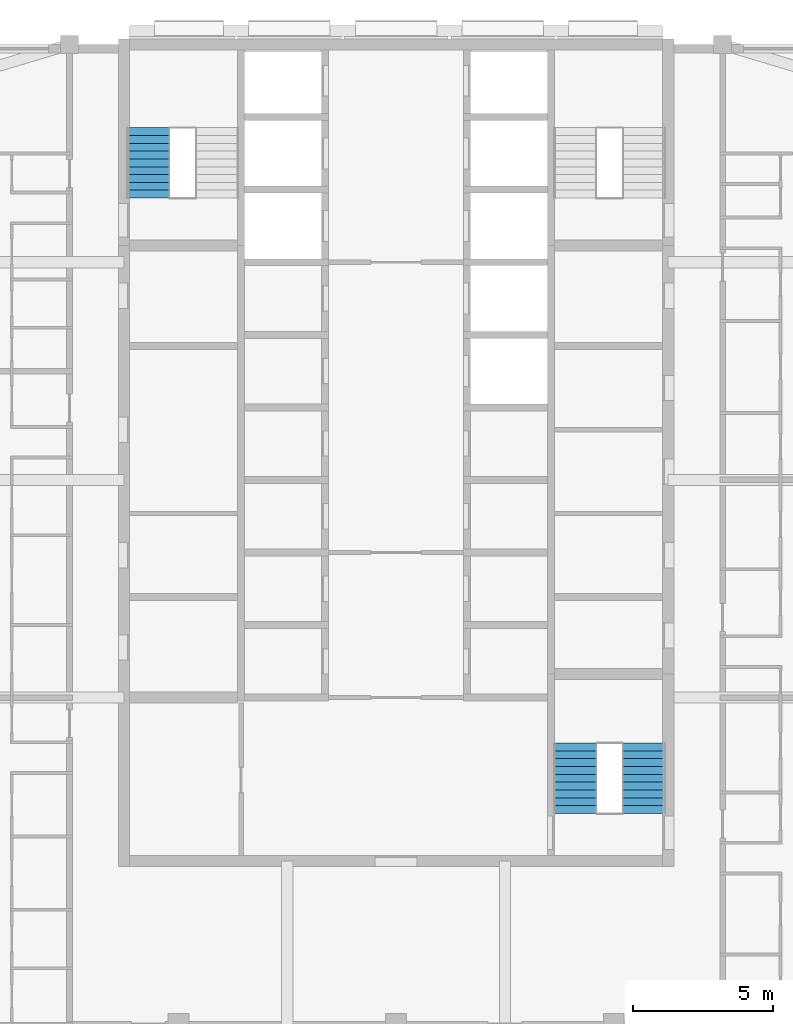
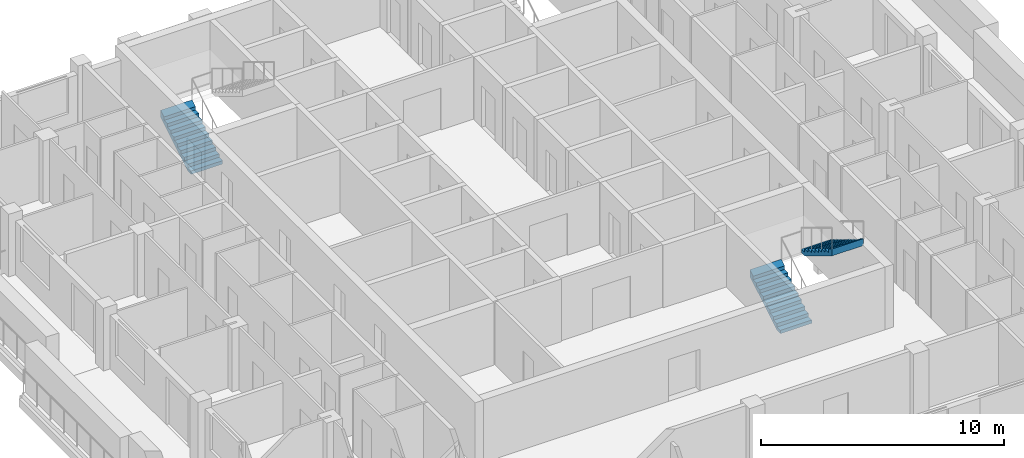
# One storey, part 10 of 13: 3 stair flights, 2 elements without a shape of their own.
"""IFC4 building model written with IfcOpenShell, lengths in metres."""

from ifc_helpers import new_model, si_unit, direction, frame, origin, place, context, subcontext, project, spatial, triangles, material, type_object, element, aggregate, save


model = new_model("IFC4")

# Units and contexts
model_context = context("Model", 3, precision=1e-05, world=origin(), true_north=direction((0.0, 1.0)))
body_context = subcontext(model_context, "Body", "Model", "MODEL_VIEW")
ifc_project = project(units=[si_unit("LENGTHUNIT", "METRE"), si_unit("AREAUNIT", "SQUARE_METRE"), si_unit("VOLUMEUNIT", "CUBIC_METRE"), si_unit("PLANEANGLEUNIT", "RADIAN"), si_unit("MASSUNIT", "GRAM", prefix="KILO")], contexts=[model_context])

# Site, building, storey
site_placement = place(None, origin())
site = spatial("IfcSite", under=ifc_project, at=site_placement, CompositionType="ELEMENT")
building_placement = place(site_placement, origin())
building = spatial("IfcBuilding", under=site, at=building_placement, Name="Ludao Terraces", CompositionType="ELEMENT")
storey_placement = place(building_placement, frame((0.0, 0.0, 252.800048828125)))
storey = spatial("IfcBuildingStorey", under=building, at=storey_placement, Name="L69", CompositionType="ELEMENT", Elevation=252.800048828125)

# Stair, stair flight
ifc_material = material(Name="Concrete C40", Category="concrete")
stair_type = type_object("IfcStairType", Name="INT Stair", PredefinedType="HALF_TURN_STAIR", material=ifc_material)
stair_1_placement = place(storey_placement, origin())
stair_1 = element("IfcStair", 1, at=stair_1_placement, inside=storey, type_object=stair_type, Name="EXIT STAIR 1", PredefinedType="HALF_TURN_STAIR")
stair_flight_type = type_object("IfcStairFlightType", Name="INT Stair flight", PredefinedType="STRAIGHT", material=ifc_material)
stair_flight_1_placement = place(storey_placement, frame((76.125, 79.0, 0.0), z_axis=(0.0, 0.0, 1.0), x_axis=(0.0, 1.0, 0.0)))
stair_flight_1 = element("IfcStairFlight", 2, at=stair_flight_1_placement, type_object=stair_flight_type, Name="ST1 flight 1", NumberOfRisers=10, NumberOfTreads=9, PredefinedType="STRAIGHT", RiserHeight=0.17, TreadLength=0.28, context=body_context, shape_type="Tessellation", body=[
    triangles([(0.0, -0.75, 0.0), (0.0, -0.5, 0.0), (0.0, -0.25, 0.0), (0.0, 0.0, 0.0), (0.0, 0.25, 0.0), (0.0, 0.5, 0.0), (0.0, 0.75, 0.0), (0.0, -0.75, 0.169921875), (0.0, -0.5, 0.169921875), (0.0, -0.25, 0.169921875), (0.0, 0.0, 0.169921875), (0.0, 0.25, 0.169921875), (0.0, 0.5, 0.169921875), (0.0, 0.75, 0.169921875), (0.280029296875, -0.75, 0.169921875), (0.280029296875, -0.5, 0.169921875), (0.280029296875, -0.25, 0.169921875), (0.280029296875, 0.0, 0.169921875), (0.280029296875, 0.25, 0.169921875), (0.280029296875, 0.5, 0.169921875), (0.280029296875, 0.75, 0.169921875), (0.280029296875, -0.75, 0.340087890625), (0.280029296875, -0.5, 0.340087890625), (0.280029296875, -0.25, 0.340087890625), (0.280029296875, 0.0, 0.340087890625), (0.280029296875, 0.25, 0.340087890625), (0.280029296875, 0.5, 0.340087890625), (0.280029296875, 0.75, 0.340087890625), (0.56005859375, -0.75, 0.340087890625), (0.56005859375, -0.5, 0.340087890625), (0.56005859375, -0.25, 0.340087890625), (0.56005859375, 0.0, 0.340087890625), (0.56005859375, 0.25, 0.340087890625), (0.56005859375, 0.5, 0.340087890625), (0.56005859375, 0.75, 0.340087890625), (0.56005859375, -0.75, 0.510009765625), (0.56005859375, -0.5, 0.510009765625), (0.56005859375, -0.25, 0.510009765625), (0.56005859375, 0.0, 0.510009765625), (0.56005859375, 0.25, 0.510009765625), (0.56005859375, 0.5, 0.510009765625), (0.56005859375, 0.75, 0.510009765625), (0.840087890625, -0.75, 0.510009765625), (0.840087890625, -0.5, 0.510009765625), (0.840087890625, -0.25, 0.510009765625), (0.840087890625, 0.0, 0.510009765625), (0.840087890625, 0.25, 0.510009765625), (0.840087890625, 0.5, 0.510009765625), (0.840087890625, 0.75, 0.510009765625), (0.840087890625, -0.75, 0.679931640625), (0.840087890625, -0.5, 0.679931640625), (0.840087890625, -0.25, 0.679931640625), (0.840087890625, 0.0, 0.679931640625), (0.840087890625, 0.25, 0.679931640625), (0.840087890625, 0.5, 0.679931640625), (0.840087890625, 0.75, 0.679931640625), (1.1201171875, -0.75, 0.679931640625), (1.1201171875, -0.5, 0.679931640625), (1.1201171875, -0.25, 0.679931640625), (1.1201171875, 0.0, 0.679931640625), (1.1201171875, 0.25, 0.679931640625), (1.1201171875, 0.5, 0.679931640625), (1.1201171875, 0.75, 0.679931640625), (1.1201171875, -0.75, 0.85009765625), (1.1201171875, -0.5, 0.85009765625), (1.1201171875, -0.25, 0.85009765625), (1.1201171875, 0.0, 0.85009765625), (1.1201171875, 0.25, 0.85009765625), (1.1201171875, 0.5, 0.85009765625), (1.1201171875, 0.75, 0.85009765625), (1.39990234375, -0.75, 0.85009765625), (1.39990234375, -0.5, 0.85009765625), (1.39990234375, -0.25, 0.85009765625), (1.39990234375, 0.0, 0.85009765625), (1.39990234375, 0.25, 0.85009765625), (1.39990234375, 0.5, 0.85009765625), (1.39990234375, 0.75, 0.85009765625), (1.39990234375, -0.75, 1.02001953125), (1.39990234375, -0.5, 1.02001953125), (1.39990234375, -0.25, 1.02001953125), (1.39990234375, 0.0, 1.02001953125), (1.39990234375, 0.25, 1.02001953125), (1.39990234375, 0.5, 1.02001953125), (1.39990234375, 0.75, 1.02001953125), (1.679931640625, -0.75, 1.02001953125), (1.679931640625, -0.5, 1.02001953125), (1.679931640625, -0.25, 1.02001953125), (1.679931640625, 0.0, 1.02001953125), (1.679931640625, 0.25, 1.02001953125), (1.679931640625, 0.5, 1.02001953125), (1.679931640625, 0.75, 1.02001953125), (1.679931640625, -0.75, 1.18994140625), (1.679931640625, -0.5, 1.18994140625), (1.679931640625, -0.25, 1.18994140625), (1.679931640625, 0.0, 1.18994140625), (1.679931640625, 0.25, 1.18994140625), (1.679931640625, 0.5, 1.18994140625), (1.679931640625, 0.75, 1.18994140625), (1.9599609375, -0.75, 1.18994140625), (1.9599609375, -0.5, 1.18994140625), (1.9599609375, -0.25, 1.18994140625), (1.9599609375, 0.0, 1.18994140625), (1.9599609375, 0.25, 1.18994140625), (1.9599609375, 0.5, 1.18994140625), (1.9599609375, 0.75, 1.18994140625), (1.9599609375, -0.75, 1.360107421875), (1.9599609375, -0.5, 1.360107421875), (1.9599609375, -0.25, 1.360107421875), (1.9599609375, 0.0, 1.360107421875), (1.9599609375, 0.25, 1.360107421875), (1.9599609375, 0.5, 1.360107421875), (1.9599609375, 0.75, 1.360107421875), (2.239990234375, -0.75, 1.360107421875), (2.239990234375, -0.5, 1.360107421875), (2.239990234375, -0.25, 1.360107421875), (2.239990234375, 0.0, 1.360107421875), (2.239990234375, 0.25, 1.360107421875), (2.239990234375, 0.5, 1.360107421875), (2.239990234375, 0.75, 1.360107421875), (2.239990234375, -0.75, 1.530029296875), (2.239990234375, -0.5, 1.530029296875), (2.239990234375, -0.25, 1.530029296875), (2.239990234375, 0.0, 1.530029296875), (2.239990234375, 0.25, 1.530029296875), (2.239990234375, 0.5, 1.530029296875), (2.239990234375, 0.75, 1.530029296875), (2.52001953125, -0.75, 1.699951171875), (2.52001953125, -0.5, 1.699951171875), (2.52001953125, -0.25, 1.699951171875), (2.52001953125, 0.0, 1.699951171875), (2.52001953125, 0.25, 1.699951171875), (2.52001953125, 0.5, 1.699951171875), (2.52001953125, 0.75, 1.699951171875), (2.52001953125, -0.75, 1.354736328125), (2.52001953125, -0.5, 1.354736328125), (2.52001953125, -0.25, 1.354736328125), (2.52001953125, 0.0, 1.354736328125), (2.52001953125, 0.25, 1.354736328125), (2.52001953125, 0.5, 1.354736328125), (2.52001953125, 0.75, 1.354736328125), (0.288818359375, -0.75, 0.0), (0.288818359375, -0.5, 0.0), (0.288818359375, -0.25, 0.0), (0.288818359375, 0.0, 0.0), (0.288818359375, 0.25, 0.0), (0.288818359375, 0.5, 0.0), (0.288818359375, 0.75, 0.0)], [[1, 141, 134], [7, 140, 147], [134, 127, 120], [140, 126, 133], [134, 120, 113], [140, 119, 126], [134, 113, 106], [140, 112, 119], [134, 106, 99], [140, 105, 112], [99, 92, 85], [105, 91, 98], [134, 99, 85], [140, 91, 105], [85, 78, 71], [91, 77, 84], [134, 85, 71], [140, 77, 91], [71, 64, 57], [77, 63, 70], [134, 71, 57], [140, 63, 77], [57, 50, 43], [63, 49, 56], [134, 57, 43], [140, 49, 63], [43, 36, 29], [49, 35, 42], [134, 43, 29], [140, 35, 49], [29, 22, 15], [35, 21, 28], [134, 29, 15], [140, 21, 35], [1, 134, 15], [7, 21, 140], [15, 8, 1], [21, 7, 14], [1, 9, 2], [1, 8, 9], [2, 10, 3], [2, 9, 10], [3, 11, 4], [3, 10, 11], [4, 12, 5], [4, 11, 12], [5, 13, 6], [5, 12, 13], [6, 14, 7], [6, 13, 14], [8, 16, 9], [8, 15, 16], [9, 17, 10], [9, 16, 17], [10, 18, 11], [10, 17, 18], [11, 19, 12], [11, 18, 19], [12, 20, 13], [12, 19, 20], [13, 21, 14], [13, 20, 21], [15, 23, 16], [15, 22, 23], [16, 24, 17], [16, 23, 24], [17, 25, 18], [17, 24, 25], [18, 26, 19], [18, 25, 26], [19, 27, 20], [19, 26, 27], [20, 28, 21], [20, 27, 28], [22, 30, 23], [22, 29, 30], [23, 31, 24], [23, 30, 31], [24, 32, 25], [24, 31, 32], [25, 33, 26], [25, 32, 33], [26, 34, 27], [26, 33, 34], [27, 35, 28], [27, 34, 35], [29, 37, 30], [29, 36, 37], [30, 38, 31], [30, 37, 38], [31, 39, 32], [31, 38, 39], [32, 40, 33], [32, 39, 40], [33, 41, 34], [33, 40, 41], [34, 42, 35], [34, 41, 42], [36, 44, 37], [36, 43, 44], [37, 45, 38], [37, 44, 45], [38, 46, 39], [38, 45, 46], [39, 47, 40], [39, 46, 47], [40, 48, 41], [40, 47, 48], [41, 49, 42], [41, 48, 49], [43, 51, 44], [43, 50, 51], [44, 52, 45], [44, 51, 52], [45, 53, 46], [45, 52, 53], [46, 54, 47], [46, 53, 54], [47, 55, 48], [47, 54, 55], [48, 56, 49], [48, 55, 56], [50, 58, 51], [50, 57, 58], [51, 59, 52], [51, 58, 59], [52, 60, 53], [52, 59, 60], [53, 61, 54], [53, 60, 61], [54, 62, 55], [54, 61, 62], [55, 63, 56], [55, 62, 63], [57, 65, 58], [57, 64, 65], [58, 66, 59], [58, 65, 66], [59, 67, 60], [59, 66, 67], [60, 68, 61], [60, 67, 68], [61, 69, 62], [61, 68, 69], [62, 70, 63], [62, 69, 70], [64, 72, 65], [64, 71, 72], [65, 73, 66], [65, 72, 73], [66, 74, 67], [66, 73, 74], [67, 75, 68], [67, 74, 75], [68, 76, 69], [68, 75, 76], [69, 77, 70], [69, 76, 77], [71, 79, 72], [71, 78, 79], [72, 80, 73], [72, 79, 80], [73, 81, 74], [73, 80, 81], [74, 82, 75], [74, 81, 82], [75, 83, 76], [75, 82, 83], [76, 84, 77], [76, 83, 84], [78, 86, 79], [78, 85, 86], [79, 87, 80], [79, 86, 87], [80, 88, 81], [80, 87, 88], [81, 89, 82], [81, 88, 89], [82, 90, 83], [82, 89, 90], [83, 91, 84], [83, 90, 91], [85, 93, 86], [85, 92, 93], [86, 94, 87], [86, 93, 94], [87, 95, 88], [87, 94, 95], [88, 96, 89], [88, 95, 96], [89, 97, 90], [89, 96, 97], [90, 98, 91], [90, 97, 98], [92, 100, 93], [92, 99, 100], [93, 101, 94], [93, 100, 101], [94, 102, 95], [94, 101, 102], [95, 103, 96], [95, 102, 103], [96, 104, 97], [96, 103, 104], [97, 105, 98], [97, 104, 105], [99, 107, 100], [99, 106, 107], [100, 108, 101], [100, 107, 108], [101, 109, 102], [101, 108, 109], [102, 110, 103], [102, 109, 110], [103, 111, 104], [103, 110, 111], [104, 112, 105], [104, 111, 112], [106, 114, 107], [106, 113, 114], [107, 115, 108], [107, 114, 115], [108, 116, 109], [108, 115, 116], [109, 117, 110], [109, 116, 117], [110, 118, 111], [110, 117, 118], [111, 119, 112], [111, 118, 119], [113, 121, 114], [113, 120, 121], [114, 122, 115], [114, 121, 122], [115, 123, 116], [115, 122, 123], [116, 124, 117], [116, 123, 124], [117, 125, 118], [117, 124, 125], [118, 126, 119], [118, 125, 126], [120, 128, 121], [120, 127, 128], [121, 129, 122], [121, 128, 129], [122, 130, 123], [122, 129, 130], [123, 131, 124], [123, 130, 131], [124, 132, 125], [124, 131, 132], [125, 133, 126], [125, 132, 133], [127, 135, 128], [127, 134, 135], [128, 136, 129], [128, 135, 136], [129, 137, 130], [129, 136, 137], [130, 138, 131], [130, 137, 138], [131, 139, 132], [131, 138, 139], [132, 140, 133], [132, 139, 140], [134, 142, 135], [134, 141, 142], [135, 143, 136], [135, 142, 143], [136, 144, 137], [136, 143, 144], [137, 145, 138], [137, 144, 145], [138, 146, 139], [138, 145, 146], [139, 147, 140], [139, 146, 147], [141, 2, 142], [141, 1, 2], [142, 3, 143], [142, 2, 3], [143, 4, 144], [143, 3, 4], [144, 5, 145], [144, 4, 5], [145, 6, 146], [145, 5, 6], [146, 7, 147], [146, 6, 7]], closed=True),
])
aggregate(stair_1, [stair_flight_1])

# Stair, stair flights
stair_2_placement = place(storey_placement, origin())
stair_2 = element("IfcStair", 3, at=stair_2_placement, inside=storey, type_object=stair_type, Name="EXIT STAIR 3", PredefinedType="HALF_TURN_STAIR")
stair_flight_2_placement = place(storey_placement, frame((91.425048828125, 56.949951171875, 0.0), z_axis=(0.0, 0.0, 1.0), x_axis=(0.0, 1.0, 0.0)))
stair_flight_2 = element("IfcStairFlight", 4, at=stair_flight_2_placement, type_object=stair_flight_type, Name="ST3 flight 1", NumberOfRisers=10, NumberOfTreads=9, PredefinedType="STRAIGHT", RiserHeight=0.17, TreadLength=0.28, context=body_context, shape_type="Tessellation", body=[
    triangles([(0.0, -0.75, 0.0), (0.0, -0.5, 0.0), (0.0, -0.25, 0.0), (0.0, 0.0, 0.0), (0.0, 0.25, 0.0), (0.0, 0.5, 0.0), (0.0, 0.75, 0.0), (0.0, -0.75, 0.169921875), (0.0, -0.5, 0.169921875), (0.0, -0.25, 0.169921875), (0.0, 0.0, 0.169921875), (0.0, 0.25, 0.169921875), (0.0, 0.5, 0.169921875), (0.0, 0.75, 0.169921875), (0.280029296875, -0.75, 0.169921875), (0.280029296875, -0.5, 0.169921875), (0.280029296875, -0.25, 0.169921875), (0.280029296875, 0.0, 0.169921875), (0.280029296875, 0.25, 0.169921875), (0.280029296875, 0.5, 0.169921875), (0.280029296875, 0.75, 0.169921875), (0.280029296875, -0.75, 0.340087890625), (0.280029296875, -0.5, 0.340087890625), (0.280029296875, -0.25, 0.340087890625), (0.280029296875, 0.0, 0.340087890625), (0.280029296875, 0.25, 0.340087890625), (0.280029296875, 0.5, 0.340087890625), (0.280029296875, 0.75, 0.340087890625), (0.56005859375, -0.75, 0.340087890625), (0.56005859375, -0.5, 0.340087890625), (0.56005859375, -0.25, 0.340087890625), (0.56005859375, 0.0, 0.340087890625), (0.56005859375, 0.25, 0.340087890625), (0.56005859375, 0.5, 0.340087890625), (0.56005859375, 0.75, 0.340087890625), (0.56005859375, -0.75, 0.510009765625), (0.56005859375, -0.5, 0.510009765625), (0.56005859375, -0.25, 0.510009765625), (0.56005859375, 0.0, 0.510009765625), (0.56005859375, 0.25, 0.510009765625), (0.56005859375, 0.5, 0.510009765625), (0.56005859375, 0.75, 0.510009765625), (0.840087890625, -0.75, 0.510009765625), (0.840087890625, -0.5, 0.510009765625), (0.840087890625, -0.25, 0.510009765625), (0.840087890625, 0.0, 0.510009765625), (0.840087890625, 0.25, 0.510009765625), (0.840087890625, 0.5, 0.510009765625), (0.840087890625, 0.75, 0.510009765625), (0.840087890625, -0.75, 0.679931640625), (0.840087890625, -0.5, 0.679931640625), (0.840087890625, -0.25, 0.679931640625), (0.840087890625, 0.0, 0.679931640625), (0.840087890625, 0.25, 0.679931640625), (0.840087890625, 0.5, 0.679931640625), (0.840087890625, 0.75, 0.679931640625), (1.1201171875, -0.75, 0.679931640625), (1.1201171875, -0.5, 0.679931640625), (1.1201171875, -0.25, 0.679931640625), (1.1201171875, 0.0, 0.679931640625), (1.1201171875, 0.25, 0.679931640625), (1.1201171875, 0.5, 0.679931640625), (1.1201171875, 0.75, 0.679931640625), (1.1201171875, -0.75, 0.85009765625), (1.1201171875, -0.5, 0.85009765625), (1.1201171875, -0.25, 0.85009765625), (1.1201171875, 0.0, 0.85009765625), (1.1201171875, 0.25, 0.85009765625), (1.1201171875, 0.5, 0.85009765625), (1.1201171875, 0.75, 0.85009765625), (1.39990234375, -0.75, 0.85009765625), (1.39990234375, -0.5, 0.85009765625), (1.39990234375, -0.25, 0.85009765625), (1.39990234375, 0.0, 0.85009765625), (1.39990234375, 0.25, 0.85009765625), (1.39990234375, 0.5, 0.85009765625), (1.39990234375, 0.75, 0.85009765625), (1.39990234375, -0.75, 1.02001953125), (1.39990234375, -0.5, 1.02001953125), (1.39990234375, -0.25, 1.02001953125), (1.39990234375, 0.0, 1.02001953125), (1.39990234375, 0.25, 1.02001953125), (1.39990234375, 0.5, 1.02001953125), (1.39990234375, 0.75, 1.02001953125), (1.679931640625, -0.75, 1.02001953125), (1.679931640625, -0.5, 1.02001953125), (1.679931640625, -0.25, 1.02001953125), (1.679931640625, 0.0, 1.02001953125), (1.679931640625, 0.25, 1.02001953125), (1.679931640625, 0.5, 1.02001953125), (1.679931640625, 0.75, 1.02001953125), (1.679931640625, -0.75, 1.18994140625), (1.679931640625, -0.5, 1.18994140625), (1.679931640625, -0.25, 1.18994140625), (1.679931640625, 0.0, 1.18994140625), (1.679931640625, 0.25, 1.18994140625), (1.679931640625, 0.5, 1.18994140625), (1.679931640625, 0.75, 1.18994140625), (1.9599609375, -0.75, 1.18994140625), (1.9599609375, -0.5, 1.18994140625), (1.9599609375, -0.25, 1.18994140625), (1.9599609375, 0.0, 1.18994140625), (1.9599609375, 0.25, 1.18994140625), (1.9599609375, 0.5, 1.18994140625), (1.9599609375, 0.75, 1.18994140625), (1.9599609375, -0.75, 1.360107421875), (1.9599609375, -0.5, 1.360107421875), (1.9599609375, -0.25, 1.360107421875), (1.9599609375, 0.0, 1.360107421875), (1.9599609375, 0.25, 1.360107421875), (1.9599609375, 0.5, 1.360107421875), (1.9599609375, 0.75, 1.360107421875), (2.239990234375, -0.75, 1.360107421875), (2.239990234375, -0.5, 1.360107421875), (2.239990234375, -0.25, 1.360107421875), (2.239990234375, 0.0, 1.360107421875), (2.239990234375, 0.25, 1.360107421875), (2.239990234375, 0.5, 1.360107421875), (2.239990234375, 0.75, 1.360107421875), (2.239990234375, -0.75, 1.530029296875), (2.239990234375, -0.5, 1.530029296875), (2.239990234375, -0.25, 1.530029296875), (2.239990234375, 0.0, 1.530029296875), (2.239990234375, 0.25, 1.530029296875), (2.239990234375, 0.5, 1.530029296875), (2.239990234375, 0.75, 1.530029296875), (2.52001953125, -0.75, 1.699951171875), (2.52001953125, -0.5, 1.699951171875), (2.52001953125, -0.25, 1.699951171875), (2.52001953125, 0.0, 1.699951171875), (2.52001953125, 0.25, 1.699951171875), (2.52001953125, 0.5, 1.699951171875), (2.52001953125, 0.75, 1.699951171875), (2.52001953125, -0.75, 1.354736328125), (2.52001953125, -0.5, 1.354736328125), (2.52001953125, -0.25, 1.354736328125), (2.52001953125, 0.0, 1.354736328125), (2.52001953125, 0.25, 1.354736328125), (2.52001953125, 0.5, 1.354736328125), (2.52001953125, 0.75, 1.354736328125), (0.288818359375, -0.75, 0.0), (0.288818359375, -0.5, 0.0), (0.288818359375, -0.25, 0.0), (0.288818359375, 0.0, 0.0), (0.288818359375, 0.25, 0.0), (0.288818359375, 0.5, 0.0), (0.288818359375, 0.75, 0.0)], [[1, 141, 134], [7, 140, 147], [134, 127, 120], [140, 126, 133], [134, 120, 113], [140, 119, 126], [134, 113, 106], [140, 112, 119], [134, 106, 99], [140, 105, 112], [99, 92, 85], [105, 91, 98], [134, 99, 85], [140, 91, 105], [85, 78, 71], [91, 77, 84], [134, 85, 71], [140, 77, 91], [71, 64, 57], [77, 63, 70], [134, 71, 57], [140, 63, 77], [57, 50, 43], [63, 49, 56], [134, 57, 43], [140, 49, 63], [43, 36, 29], [49, 35, 42], [134, 43, 29], [140, 35, 49], [29, 22, 15], [35, 21, 28], [134, 29, 15], [140, 21, 35], [1, 134, 15], [7, 21, 140], [15, 8, 1], [21, 7, 14], [1, 9, 2], [1, 8, 9], [2, 10, 3], [2, 9, 10], [3, 11, 4], [3, 10, 11], [4, 12, 5], [4, 11, 12], [5, 13, 6], [5, 12, 13], [6, 14, 7], [6, 13, 14], [8, 16, 9], [8, 15, 16], [9, 17, 10], [9, 16, 17], [10, 18, 11], [10, 17, 18], [11, 19, 12], [11, 18, 19], [12, 20, 13], [12, 19, 20], [13, 21, 14], [13, 20, 21], [15, 23, 16], [15, 22, 23], [16, 24, 17], [16, 23, 24], [17, 25, 18], [17, 24, 25], [18, 26, 19], [18, 25, 26], [19, 27, 20], [19, 26, 27], [20, 28, 21], [20, 27, 28], [22, 30, 23], [22, 29, 30], [23, 31, 24], [23, 30, 31], [24, 32, 25], [24, 31, 32], [25, 33, 26], [25, 32, 33], [26, 34, 27], [26, 33, 34], [27, 35, 28], [27, 34, 35], [29, 37, 30], [29, 36, 37], [30, 38, 31], [30, 37, 38], [31, 39, 32], [31, 38, 39], [32, 40, 33], [32, 39, 40], [33, 41, 34], [33, 40, 41], [34, 42, 35], [34, 41, 42], [36, 44, 37], [36, 43, 44], [37, 45, 38], [37, 44, 45], [38, 46, 39], [38, 45, 46], [39, 47, 40], [39, 46, 47], [40, 48, 41], [40, 47, 48], [41, 49, 42], [41, 48, 49], [43, 51, 44], [43, 50, 51], [44, 52, 45], [44, 51, 52], [45, 53, 46], [45, 52, 53], [46, 54, 47], [46, 53, 54], [47, 55, 48], [47, 54, 55], [48, 56, 49], [48, 55, 56], [50, 58, 51], [50, 57, 58], [51, 59, 52], [51, 58, 59], [52, 60, 53], [52, 59, 60], [53, 61, 54], [53, 60, 61], [54, 62, 55], [54, 61, 62], [55, 63, 56], [55, 62, 63], [57, 65, 58], [57, 64, 65], [58, 66, 59], [58, 65, 66], [59, 67, 60], [59, 66, 67], [60, 68, 61], [60, 67, 68], [61, 69, 62], [61, 68, 69], [62, 70, 63], [62, 69, 70], [64, 72, 65], [64, 71, 72], [65, 73, 66], [65, 72, 73], [66, 74, 67], [66, 73, 74], [67, 75, 68], [67, 74, 75], [68, 76, 69], [68, 75, 76], [69, 77, 70], [69, 76, 77], [71, 79, 72], [71, 78, 79], [72, 80, 73], [72, 79, 80], [73, 81, 74], [73, 80, 81], [74, 82, 75], [74, 81, 82], [75, 83, 76], [75, 82, 83], [76, 84, 77], [76, 83, 84], [78, 86, 79], [78, 85, 86], [79, 87, 80], [79, 86, 87], [80, 88, 81], [80, 87, 88], [81, 89, 82], [81, 88, 89], [82, 90, 83], [82, 89, 90], [83, 91, 84], [83, 90, 91], [85, 93, 86], [85, 92, 93], [86, 94, 87], [86, 93, 94], [87, 95, 88], [87, 94, 95], [88, 96, 89], [88, 95, 96], [89, 97, 90], [89, 96, 97], [90, 98, 91], [90, 97, 98], [92, 100, 93], [92, 99, 100], [93, 101, 94], [93, 100, 101], [94, 102, 95], [94, 101, 102], [95, 103, 96], [95, 102, 103], [96, 104, 97], [96, 103, 104], [97, 105, 98], [97, 104, 105], [99, 107, 100], [99, 106, 107], [100, 108, 101], [100, 107, 108], [101, 109, 102], [101, 108, 109], [102, 110, 103], [102, 109, 110], [103, 111, 104], [103, 110, 111], [104, 112, 105], [104, 111, 112], [106, 114, 107], [106, 113, 114], [107, 115, 108], [107, 114, 115], [108, 116, 109], [108, 115, 116], [109, 117, 110], [109, 116, 117], [110, 118, 111], [110, 117, 118], [111, 119, 112], [111, 118, 119], [113, 121, 114], [113, 120, 121], [114, 122, 115], [114, 121, 122], [115, 123, 116], [115, 122, 123], [116, 124, 117], [116, 123, 124], [117, 125, 118], [117, 124, 125], [118, 126, 119], [118, 125, 126], [120, 128, 121], [120, 127, 128], [121, 129, 122], [121, 128, 129], [122, 130, 123], [122, 129, 130], [123, 131, 124], [123, 130, 131], [124, 132, 125], [124, 131, 132], [125, 133, 126], [125, 132, 133], [127, 135, 128], [127, 134, 135], [128, 136, 129], [128, 135, 136], [129, 137, 130], [129, 136, 137], [130, 138, 131], [130, 137, 138], [131, 139, 132], [131, 138, 139], [132, 140, 133], [132, 139, 140], [134, 142, 135], [134, 141, 142], [135, 143, 136], [135, 142, 143], [136, 144, 137], [136, 143, 144], [137, 145, 138], [137, 144, 145], [138, 146, 139], [138, 145, 146], [139, 147, 140], [139, 146, 147], [141, 2, 142], [141, 1, 2], [142, 3, 143], [142, 2, 3], [143, 4, 144], [143, 3, 4], [144, 5, 145], [144, 4, 5], [145, 6, 146], [145, 5, 6], [146, 7, 147], [146, 6, 7]], closed=True),
])
stair_flight_3_placement = place(storey_placement, frame((93.875, 59.469970703125, 1.699951171875), z_axis=(0.0, 0.0, 1.0), x_axis=(0.0, -1.0, 0.0)))
stair_flight_3 = element("IfcStairFlight", 5, at=stair_flight_3_placement, type_object=stair_flight_type, Name="ST3 flight 2", NumberOfRisers=10, NumberOfTreads=9, PredefinedType="STRAIGHT", RiserHeight=0.17, TreadLength=0.28, context=body_context, shape_type="Tessellation", body=[
    triangles([(0.0, -0.75, 0.0), (0.0, -0.5, 0.0), (0.0, -0.25, 0.0), (0.0, 0.0, 0.0), (0.0, 0.25, 0.0), (0.0, 0.5, 0.0), (0.0, 0.75, 0.0), (0.0, -0.75, 0.169921875), (0.0, -0.5, 0.169921875), (0.0, -0.25, 0.169921875), (0.0, 0.0, 0.169921875), (0.0, 0.25, 0.169921875), (0.0, 0.5, 0.169921875), (0.0, 0.75, 0.169921875), (0.280029296875, -0.75, 0.169921875), (0.280029296875, -0.5, 0.169921875), (0.280029296875, -0.25, 0.169921875), (0.280029296875, 0.0, 0.169921875), (0.280029296875, 0.25, 0.169921875), (0.280029296875, 0.5, 0.169921875), (0.280029296875, 0.75, 0.169921875), (0.280029296875, -0.75, 0.340087890625), (0.280029296875, -0.5, 0.340087890625), (0.280029296875, -0.25, 0.340087890625), (0.280029296875, 0.0, 0.340087890625), (0.280029296875, 0.25, 0.340087890625), (0.280029296875, 0.5, 0.340087890625), (0.280029296875, 0.75, 0.340087890625), (0.56005859375, -0.75, 0.340087890625), (0.56005859375, -0.5, 0.340087890625), (0.56005859375, -0.25, 0.340087890625), (0.56005859375, 0.0, 0.340087890625), (0.56005859375, 0.25, 0.340087890625), (0.56005859375, 0.5, 0.340087890625), (0.56005859375, 0.75, 0.340087890625), (0.56005859375, -0.75, 0.510009765625), (0.56005859375, -0.5, 0.510009765625), (0.56005859375, -0.25, 0.510009765625), (0.56005859375, 0.0, 0.510009765625), (0.56005859375, 0.25, 0.510009765625), (0.56005859375, 0.5, 0.510009765625), (0.56005859375, 0.75, 0.510009765625), (0.840087890625, -0.75, 0.510009765625), (0.840087890625, -0.5, 0.510009765625), (0.840087890625, -0.25, 0.510009765625), (0.840087890625, 0.0, 0.510009765625), (0.840087890625, 0.25, 0.510009765625), (0.840087890625, 0.5, 0.510009765625), (0.840087890625, 0.75, 0.510009765625), (0.840087890625, -0.75, 0.679931640625), (0.840087890625, -0.5, 0.679931640625), (0.840087890625, -0.25, 0.679931640625), (0.840087890625, 0.0, 0.679931640625), (0.840087890625, 0.25, 0.679931640625), (0.840087890625, 0.5, 0.679931640625), (0.840087890625, 0.75, 0.679931640625), (1.1201171875, -0.75, 0.679931640625), (1.1201171875, -0.5, 0.679931640625), (1.1201171875, -0.25, 0.679931640625), (1.1201171875, 0.0, 0.679931640625), (1.1201171875, 0.25, 0.679931640625), (1.1201171875, 0.5, 0.679931640625), (1.1201171875, 0.75, 0.679931640625), (1.1201171875, -0.75, 0.85009765625), (1.1201171875, -0.5, 0.85009765625), (1.1201171875, -0.25, 0.85009765625), (1.1201171875, 0.0, 0.85009765625), (1.1201171875, 0.25, 0.85009765625), (1.1201171875, 0.5, 0.85009765625), (1.1201171875, 0.75, 0.85009765625), (1.39990234375, -0.75, 0.85009765625), (1.39990234375, -0.5, 0.85009765625), (1.39990234375, -0.25, 0.85009765625), (1.39990234375, 0.0, 0.85009765625), (1.39990234375, 0.25, 0.85009765625), (1.39990234375, 0.5, 0.85009765625), (1.39990234375, 0.75, 0.85009765625), (1.39990234375, -0.75, 1.02001953125), (1.39990234375, -0.5, 1.02001953125), (1.39990234375, -0.25, 1.02001953125), (1.39990234375, 0.0, 1.02001953125), (1.39990234375, 0.25, 1.02001953125), (1.39990234375, 0.5, 1.02001953125), (1.39990234375, 0.75, 1.02001953125), (1.679931640625, -0.75, 1.02001953125), (1.679931640625, -0.5, 1.02001953125), (1.679931640625, -0.25, 1.02001953125), (1.679931640625, 0.0, 1.02001953125), (1.679931640625, 0.25, 1.02001953125), (1.679931640625, 0.5, 1.02001953125), (1.679931640625, 0.75, 1.02001953125), (1.679931640625, -0.75, 1.18994140625), (1.679931640625, -0.5, 1.18994140625), (1.679931640625, -0.25, 1.18994140625), (1.679931640625, 0.0, 1.18994140625), (1.679931640625, 0.25, 1.18994140625), (1.679931640625, 0.5, 1.18994140625), (1.679931640625, 0.75, 1.18994140625), (1.9599609375, -0.75, 1.18994140625), (1.9599609375, -0.5, 1.18994140625), (1.9599609375, -0.25, 1.18994140625), (1.9599609375, 0.0, 1.18994140625), (1.9599609375, 0.25, 1.18994140625), (1.9599609375, 0.5, 1.18994140625), (1.9599609375, 0.75, 1.18994140625), (1.9599609375, -0.75, 1.360107421875), (1.9599609375, -0.5, 1.360107421875), (1.9599609375, -0.25, 1.360107421875), (1.9599609375, 0.0, 1.360107421875), (1.9599609375, 0.25, 1.360107421875), (1.9599609375, 0.5, 1.360107421875), (1.9599609375, 0.75, 1.360107421875), (2.239990234375, -0.75, 1.360107421875), (2.239990234375, -0.5, 1.360107421875), (2.239990234375, -0.25, 1.360107421875), (2.239990234375, 0.0, 1.360107421875), (2.239990234375, 0.25, 1.360107421875), (2.239990234375, 0.5, 1.360107421875), (2.239990234375, 0.75, 1.360107421875), (2.239990234375, -0.75, 1.530029296875), (2.239990234375, -0.5, 1.530029296875), (2.239990234375, -0.25, 1.530029296875), (2.239990234375, 0.0, 1.530029296875), (2.239990234375, 0.25, 1.530029296875), (2.239990234375, 0.5, 1.530029296875), (2.239990234375, 0.75, 1.530029296875), (2.52001953125, -0.75, 1.699951171875), (2.52001953125, -0.5, 1.699951171875), (2.52001953125, -0.25, 1.699951171875), (2.52001953125, 0.0, 1.699951171875), (2.52001953125, 0.25, 1.699951171875), (2.52001953125, 0.5, 1.699951171875), (2.52001953125, 0.75, 1.699951171875), (2.52001953125, -0.75, 1.354736328125), (2.52001953125, -0.5, 1.354736328125), (2.52001953125, -0.25, 1.354736328125), (2.52001953125, 0.0, 1.354736328125), (2.52001953125, 0.25, 1.354736328125), (2.52001953125, 0.5, 1.354736328125), (2.52001953125, 0.75, 1.354736328125), (0.288818359375, -0.75, 0.0), (0.288818359375, -0.5, 0.0), (0.288818359375, -0.25, 0.0), (0.288818359375, 0.0, 0.0), (0.288818359375, 0.25, 0.0), (0.288818359375, 0.5, 0.0), (0.288818359375, 0.75, 0.0)], [[1, 141, 134], [7, 140, 147], [134, 127, 120], [140, 126, 133], [134, 120, 113], [140, 119, 126], [134, 113, 106], [140, 112, 119], [134, 106, 99], [140, 105, 112], [99, 92, 85], [105, 91, 98], [134, 99, 85], [140, 91, 105], [85, 78, 71], [91, 77, 84], [134, 85, 71], [140, 77, 91], [71, 64, 57], [77, 63, 70], [134, 71, 57], [140, 63, 77], [57, 50, 43], [63, 49, 56], [134, 57, 43], [140, 49, 63], [43, 36, 29], [49, 35, 42], [134, 43, 29], [140, 35, 49], [29, 22, 15], [35, 21, 28], [134, 29, 15], [140, 21, 35], [1, 134, 15], [7, 21, 140], [15, 8, 1], [21, 7, 14], [1, 9, 2], [1, 8, 9], [2, 10, 3], [2, 9, 10], [3, 11, 4], [3, 10, 11], [4, 12, 5], [4, 11, 12], [5, 13, 6], [5, 12, 13], [6, 14, 7], [6, 13, 14], [8, 16, 9], [8, 15, 16], [9, 17, 10], [9, 16, 17], [10, 18, 11], [10, 17, 18], [11, 19, 12], [11, 18, 19], [12, 20, 13], [12, 19, 20], [13, 21, 14], [13, 20, 21], [15, 23, 16], [15, 22, 23], [16, 24, 17], [16, 23, 24], [17, 25, 18], [17, 24, 25], [18, 26, 19], [18, 25, 26], [19, 27, 20], [19, 26, 27], [20, 28, 21], [20, 27, 28], [22, 30, 23], [22, 29, 30], [23, 31, 24], [23, 30, 31], [24, 32, 25], [24, 31, 32], [25, 33, 26], [25, 32, 33], [26, 34, 27], [26, 33, 34], [27, 35, 28], [27, 34, 35], [29, 37, 30], [29, 36, 37], [30, 38, 31], [30, 37, 38], [31, 39, 32], [31, 38, 39], [32, 40, 33], [32, 39, 40], [33, 41, 34], [33, 40, 41], [34, 42, 35], [34, 41, 42], [36, 44, 37], [36, 43, 44], [37, 45, 38], [37, 44, 45], [38, 46, 39], [38, 45, 46], [39, 47, 40], [39, 46, 47], [40, 48, 41], [40, 47, 48], [41, 49, 42], [41, 48, 49], [43, 51, 44], [43, 50, 51], [44, 52, 45], [44, 51, 52], [45, 53, 46], [45, 52, 53], [46, 54, 47], [46, 53, 54], [47, 55, 48], [47, 54, 55], [48, 56, 49], [48, 55, 56], [50, 58, 51], [50, 57, 58], [51, 59, 52], [51, 58, 59], [52, 60, 53], [52, 59, 60], [53, 61, 54], [53, 60, 61], [54, 62, 55], [54, 61, 62], [55, 63, 56], [55, 62, 63], [57, 65, 58], [57, 64, 65], [58, 66, 59], [58, 65, 66], [59, 67, 60], [59, 66, 67], [60, 68, 61], [60, 67, 68], [61, 69, 62], [61, 68, 69], [62, 70, 63], [62, 69, 70], [64, 72, 65], [64, 71, 72], [65, 73, 66], [65, 72, 73], [66, 74, 67], [66, 73, 74], [67, 75, 68], [67, 74, 75], [68, 76, 69], [68, 75, 76], [69, 77, 70], [69, 76, 77], [71, 79, 72], [71, 78, 79], [72, 80, 73], [72, 79, 80], [73, 81, 74], [73, 80, 81], [74, 82, 75], [74, 81, 82], [75, 83, 76], [75, 82, 83], [76, 84, 77], [76, 83, 84], [78, 86, 79], [78, 85, 86], [79, 87, 80], [79, 86, 87], [80, 88, 81], [80, 87, 88], [81, 89, 82], [81, 88, 89], [82, 90, 83], [82, 89, 90], [83, 91, 84], [83, 90, 91], [85, 93, 86], [85, 92, 93], [86, 94, 87], [86, 93, 94], [87, 95, 88], [87, 94, 95], [88, 96, 89], [88, 95, 96], [89, 97, 90], [89, 96, 97], [90, 98, 91], [90, 97, 98], [92, 100, 93], [92, 99, 100], [93, 101, 94], [93, 100, 101], [94, 102, 95], [94, 101, 102], [95, 103, 96], [95, 102, 103], [96, 104, 97], [96, 103, 104], [97, 105, 98], [97, 104, 105], [99, 107, 100], [99, 106, 107], [100, 108, 101], [100, 107, 108], [101, 109, 102], [101, 108, 109], [102, 110, 103], [102, 109, 110], [103, 111, 104], [103, 110, 111], [104, 112, 105], [104, 111, 112], [106, 114, 107], [106, 113, 114], [107, 115, 108], [107, 114, 115], [108, 116, 109], [108, 115, 116], [109, 117, 110], [109, 116, 117], [110, 118, 111], [110, 117, 118], [111, 119, 112], [111, 118, 119], [113, 121, 114], [113, 120, 121], [114, 122, 115], [114, 121, 122], [115, 123, 116], [115, 122, 123], [116, 124, 117], [116, 123, 124], [117, 125, 118], [117, 124, 125], [118, 126, 119], [118, 125, 126], [120, 128, 121], [120, 127, 128], [121, 129, 122], [121, 128, 129], [122, 130, 123], [122, 129, 130], [123, 131, 124], [123, 130, 131], [124, 132, 125], [124, 131, 132], [125, 133, 126], [125, 132, 133], [127, 135, 128], [127, 134, 135], [128, 136, 129], [128, 135, 136], [129, 137, 130], [129, 136, 137], [130, 138, 131], [130, 137, 138], [131, 139, 132], [131, 138, 139], [132, 140, 133], [132, 139, 140], [134, 142, 135], [134, 141, 142], [135, 143, 136], [135, 142, 143], [136, 144, 137], [136, 143, 144], [137, 145, 138], [137, 144, 145], [138, 146, 139], [138, 145, 146], [139, 147, 140], [139, 146, 147], [141, 2, 142], [141, 1, 2], [142, 3, 143], [142, 2, 3], [143, 4, 144], [143, 3, 4], [144, 5, 145], [144, 4, 5], [145, 6, 146], [145, 5, 6], [146, 7, 147], [146, 6, 7]], closed=True),
])
aggregate(stair_2, [stair_flight_2, stair_flight_3])

save(model, "model.ifc")
